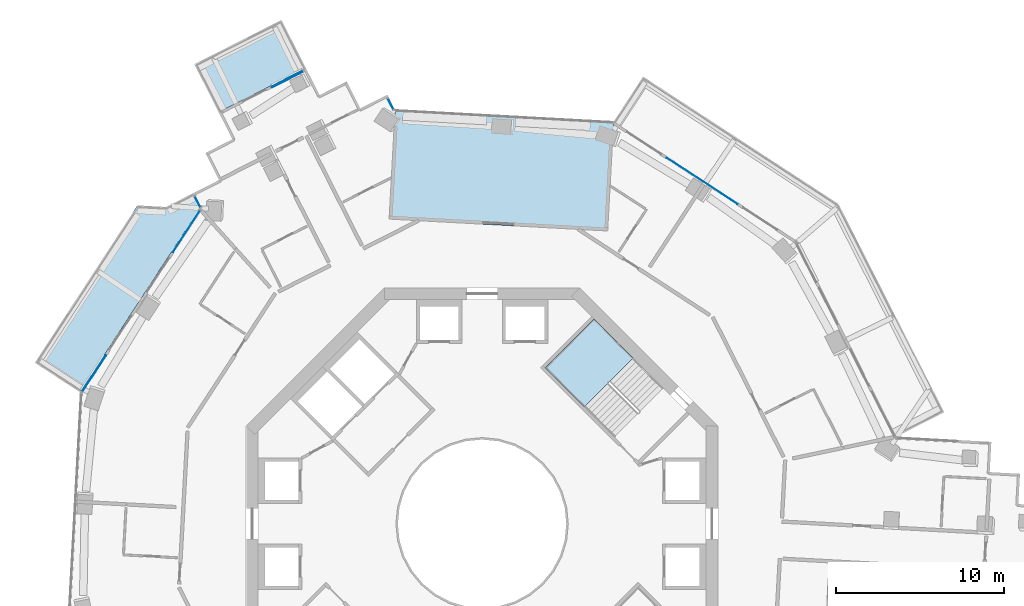
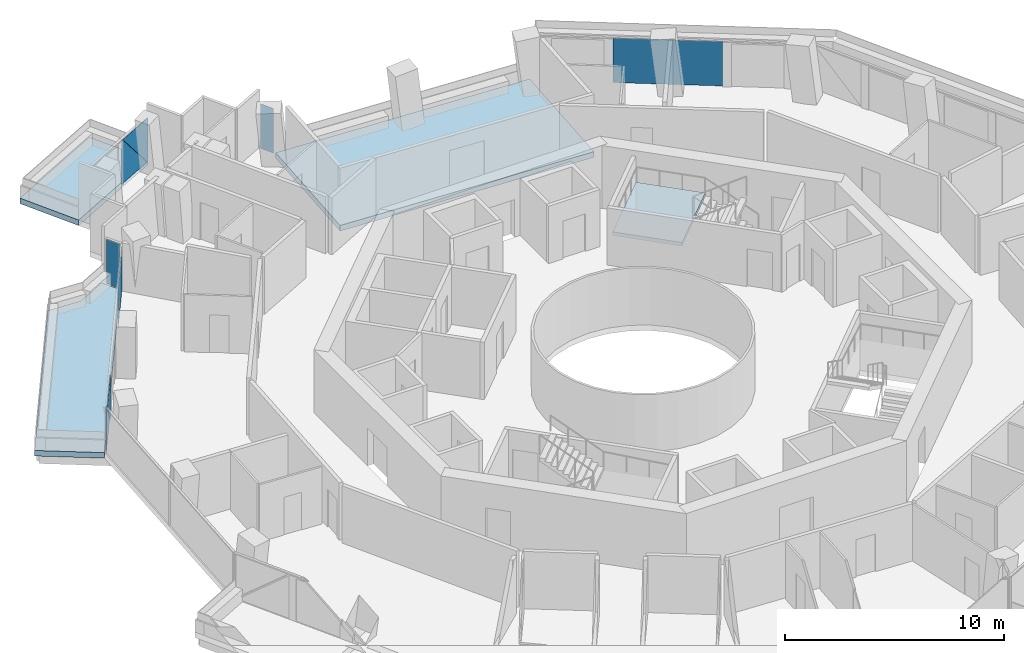
# One storey, part 14 of 23: 8 plates, 4 slabs, 6 elements without a shape of their own.
"""IFC4 building model written with IfcOpenShell, lengths in metres."""

from ifc_helpers import new_model, si_unit, direction, frame, origin, origin_2d, place, context, subcontext, project, spatial, polyline, rectangle, outline, extrude, material, layer, layer_set, type_object, element, aggregate, save


model = new_model("IFC4")

# Units and contexts
model_context = context("Model", 3, precision=1e-05, world=origin(), true_north=direction((0.0, 1.0)))
body_context = subcontext(model_context, "Body", "Model", "MODEL_VIEW")
ifc_project = project(units=[si_unit("LENGTHUNIT", "METRE"), si_unit("AREAUNIT", "SQUARE_METRE"), si_unit("VOLUMEUNIT", "CUBIC_METRE"), si_unit("PLANEANGLEUNIT", "RADIAN"), si_unit("MASSUNIT", "GRAM", prefix="KILO")], contexts=[model_context])

# Site, building, storey
site_placement = place(None, origin())
site = spatial("IfcSite", under=ifc_project, at=site_placement, CompositionType="ELEMENT")
building_placement = place(site_placement, origin())
building = spatial("IfcBuilding", under=site, at=building_placement, Name="Verdalira Terraces Hotel", CompositionType="ELEMENT")
storey_placement = place(building_placement, frame((0.0, 0.0, 143.5)))
storey = spatial("IfcBuildingStorey", under=building, at=storey_placement, Name="L34", CompositionType="ELEMENT", Elevation=143.5)

# Slabs
ifc_material_1 = material(Name="Precast concrete C40/50", Category="concrete")
ifc_layer_1 = layer(ifc_material_1, 0.31005859375)
ifc_layer_set_1 = layer_set([ifc_layer_1], Name="Balcony deck 310")
slab_type_1 = type_object("IfcSlabType", Name="Balcony deck 310", PredefinedType="FLOOR", material=ifc_layer_set_1)
slab_1_placement = place(storey_placement, frame((0.0, 0.0, -0.310059)))
element("IfcSlab", 1, at=slab_1_placement, inside=storey, type_object=slab_type_1, Name="Balcony deck", PredefinedType="FLOOR", context=body_context, shape_type="SweptSolid", body=[
    extrude(outline(polyline([(-17.081055, 27.283447), (-15.634277, 24.429199), (-10.460938, 27.051514), (-11.907715, 29.905762), (-17.081055, 27.283447)])), origin(), (0.0, 0.0, 1.0), 0.310059),
])
slab_2_placement = place(storey_placement, frame((0.0, 0.0, -0.310059)))
element("IfcSlab", 2, at=slab_2_placement, inside=storey, type_object=slab_type_1, Name="Balcony deck", PredefinedType="FLOOR", context=body_context, shape_type="SweptSolid", body=[
    extrude(outline(polyline([(-20.455078, 18.899658), (-26.548584, 9.559082), (-23.868652, 7.810791), (-16.765381, 18.698486), (-17.217529, 19.590576), (-18.762451, 18.807373), (-20.455078, 18.899658)])), origin(), (0.0, 0.0, 1.0), 0.310059),
])

# Curtain wall, plates
ifc_material_2 = material(Name="Clear glass", Category="glass")
ifc_layer_2 = layer(ifc_material_2, 0.14990234375)
ifc_layer_set_2 = layer_set([ifc_layer_2], Name="CW1 curtain wall")
curtain_wall_type_1 = type_object("IfcCurtainWallType", Name="CW1 curtain wall", PredefinedType="NOTDEFINED", material=ifc_layer_set_2)
curtain_wall_1_placement = place(storey_placement, origin())
curtain_wall_1 = element("IfcCurtainWall", 3, at=curtain_wall_1_placement, inside=storey, type_object=curtain_wall_type_1, Name="CW1 curtain wall L34 edge 11", PredefinedType="NOTDEFINED")
ifc_material_3 = material(Name="Clear glass", Category="glass")
ifc_layer_3 = layer(ifc_material_3, 0.028076171875)
ifc_layer_set_3 = layer_set([ifc_layer_3], Name="CW1 glass unit 28")
plate_type_1 = type_object("IfcPlateType", Name="CW1 glass unit 28", PredefinedType="CURTAIN_PANEL", material=ifc_layer_set_3)
plate_1_placement = place(storey_placement, frame((-17.54541, 17.365723, 0.0), z_axis=(0.0, 0.0, 1.0), x_axis=(-0.546394347, -0.83752804, 0.0)))
plate_1 = element("IfcPlate", 4, at=plate_1_placement, type_object=plate_type_1, Name="CW1 glass unit", PredefinedType="CURTAIN_PANEL", context=body_context, shape_type="SweptSolid", body=[
    extrude(rectangle(XDim=2.965088, YDim=0.028076, at=origin_2d()), origin(), (0.0, 0.0, 1.0), 2.475098),
])
plate_2_placement = place(storey_placement, frame((-23.038818, 8.919922, 1.237549), z_axis=(-0.83752804, 0.546394347, 0.0), x_axis=(-0.546394347, -0.83752804, 0.0)))
plate_2 = element("IfcPlate", 5, at=plate_2_placement, type_object=plate_type_1, Name="CW1 glass unit", PredefinedType="CURTAIN_PANEL", context=body_context, shape_type="SweptSolid", body=[
    extrude(outline(polyline([(-1.282227, -1.237549), (1.282227, -1.237549), (1.282227, 1.237549), (-1.282227, -1.237549)])), origin(), (0.0, 0.0, 1.0), 0.028076),
])
plate_3_placement = place(storey_placement, frame((-23.014404, 8.904053, 1.237549), z_axis=(-0.83752804, 0.546394347, 0.0), x_axis=(-0.546394347, -0.83752804, 0.0)))
plate_3 = element("IfcPlate", 6, at=plate_3_placement, type_object=plate_type_1, Name="CW1 glass unit", PredefinedType="CURTAIN_PANEL", context=body_context, shape_type="SweptSolid", body=[
    extrude(outline(polyline([(-1.282227, -1.237549), (1.282227, 1.237549), (-1.282227, 1.237549), (-1.282227, -1.237549)])), origin(), (0.0, 0.0, 1.0), 0.028076),
])
aggregate(curtain_wall_1, [plate_1, plate_2, plate_3])

# Curtain wall, plate
curtain_wall_2_placement = place(storey_placement, origin())
curtain_wall_2 = element("IfcCurtainWall", 7, at=curtain_wall_2_placement, inside=storey, type_object=curtain_wall_type_1, Name="CW1 curtain wall L34 edge 40", PredefinedType="NOTDEFINED")
plate_4_placement = place(storey_placement, frame((13.063965, 20.351807, 0.0), z_axis=(0.0, 0.0, 1.0), x_axis=(-0.83752804, 0.546394347, 0.0)))
plate_4 = element("IfcPlate", 8, at=plate_4_placement, type_object=plate_type_1, Name="CW1 glass unit", PredefinedType="CURTAIN_PANEL", context=body_context, shape_type="SweptSolid", body=[
    extrude(rectangle(XDim=5.021729, YDim=0.028076, at=origin_2d()), origin(), (0.0, 0.0, 1.0), 2.475098),
])
aggregate(curtain_wall_2, [plate_4])

ifc_material_4 = material(Name="Clear glass", Category="glass")
ifc_layer_4 = layer(ifc_material_4, 0.14990234375)
ifc_layer_set_4 = layer_set([ifc_layer_4], Name="CW2 curtain wall")
curtain_wall_type_2 = type_object("IfcCurtainWallType", Name="CW2 curtain wall", PredefinedType="NOTDEFINED", material=ifc_layer_set_4)
curtain_wall_3_placement = place(storey_placement, origin())
curtain_wall_3 = element("IfcCurtainWall", 9, at=curtain_wall_3_placement, inside=storey, type_object=curtain_wall_type_2, Name="CW2 curtain wall L34 edge 0", PredefinedType="NOTDEFINED")
ifc_material_5 = material(Name="Clear glass", Category="glass")
ifc_layer_5 = layer(ifc_material_5, 0.031982421875)
ifc_layer_set_5 = layer_set([ifc_layer_5], Name="CW2 glass unit 32")
plate_type_2 = type_object("IfcPlateType", Name="CW2 glass unit 32", PredefinedType="CURTAIN_PANEL", material=ifc_layer_set_5)
plate_5_placement = place(storey_placement, frame((-5.429199, 24.921387, 0.0), z_axis=(0.0, 0.0, 1.0), x_axis=(-0.452123386, 0.891955405, 0.0)))
plate_5 = element("IfcPlate", 10, at=plate_5_placement, type_object=plate_type_2, Name="CW2 glass unit", PredefinedType="CURTAIN_PANEL", context=body_context, shape_type="SweptSolid", body=[
    extrude(rectangle(XDim=0.709961, YDim=0.031982, at=origin_2d()), origin(), (0.0, 0.0, 1.0), 2.475098),
])
aggregate(curtain_wall_3, [plate_5])

curtain_wall_4_placement = place(storey_placement, origin())
curtain_wall_4 = element("IfcCurtainWall", 11, at=curtain_wall_4_placement, inside=storey, type_object=curtain_wall_type_2, Name="CW2 curtain wall L34 edge 10", PredefinedType="NOTDEFINED")
plate_6_placement = place(storey_placement, frame((-16.890625, 19.111572, 0.0), z_axis=(0.0, 0.0, 1.0), x_axis=(0.452123386, -0.891955405, 0.0)))
plate_6 = element("IfcPlate", 12, at=plate_6_placement, type_object=plate_type_2, Name="CW2 glass unit", PredefinedType="CURTAIN_PANEL", context=body_context, shape_type="SweptSolid", body=[
    extrude(rectangle(XDim=0.709961, YDim=0.031982, at=origin_2d()), origin(), (0.0, 0.0, 1.0), 2.475098),
])
aggregate(curtain_wall_4, [plate_6])

# Curtain wall, plates
ifc_material_6 = material(Name="Clear glass", Category="glass")
ifc_layer_6 = layer(ifc_material_6, 0.14990234375)
ifc_layer_set_6 = layer_set([ifc_layer_6], Name="CW3 curtain wall")
curtain_wall_type_3 = type_object("IfcCurtainWallType", Name="CW3 curtain wall", PredefinedType="NOTDEFINED", material=ifc_layer_set_6)
curtain_wall_5_placement = place(storey_placement, origin())
curtain_wall_5 = element("IfcCurtainWall", 13, at=curtain_wall_5_placement, inside=storey, type_object=curtain_wall_type_3, Name="CW3 curtain wall L34 edge 5", PredefinedType="NOTDEFINED")
ifc_material_7 = material(Name="Clear glass", Category="glass")
ifc_layer_7 = layer(ifc_material_7, 0.035888671875)
ifc_layer_set_7 = layer_set([ifc_layer_7], Name="CW3 glass unit 36")
plate_type_3 = type_object("IfcPlateType", Name="CW3 glass unit 36", PredefinedType="CURTAIN_PANEL", material=ifc_layer_set_7)
plate_7_placement = place(storey_placement, frame((-11.551758, 26.394287, 1.237549), z_axis=(-0.452123386, 0.891955405, 0.0), x_axis=(-0.891955405, -0.452123386, 0.0)))
plate_7 = element("IfcPlate", 14, at=plate_7_placement, type_object=plate_type_3, Name="CW3 glass unit", PredefinedType="CURTAIN_PANEL", context=body_context, shape_type="SweptSolid", body=[
    extrude(outline(polyline([(-1.040039, -1.237549), (1.040039, -1.237549), (1.040039, 1.237549), (-1.040039, -1.237549)])), origin(), (0.0, 0.0, 1.0), 0.035889),
])
plate_8_placement = place(storey_placement, frame((-11.534912, 26.361328, 1.237549), z_axis=(-0.452123386, 0.891955405, 0.0), x_axis=(-0.891955405, -0.452123386, 0.0)))
plate_8 = element("IfcPlate", 15, at=plate_8_placement, type_object=plate_type_3, Name="CW3 glass unit", PredefinedType="CURTAIN_PANEL", context=body_context, shape_type="SweptSolid", body=[
    extrude(outline(polyline([(-1.040039, -1.237549), (1.040039, 1.237549), (-1.040039, 1.237549), (-1.040039, -1.237549)])), origin(), (0.0, 0.0, 1.0), 0.035889),
])
aggregate(curtain_wall_5, [plate_7, plate_8])

# Stair, slab
ifc_material_8 = material(Name="Concrete C40", Category="concrete")
stair_type = type_object("IfcStairType", Name="Core stair 20 risers 2000 mm wide", PredefinedType="HALF_TURN_STAIR", material=ifc_material_8)
stair_placement = place(storey_placement, origin())
stair = element("IfcStair", 16, at=stair_placement, inside=storey, type_object=stair_type, Name="L34 Exit stair ST1", PredefinedType="HALF_TURN_STAIR")
ifc_material_9 = material(Name="Concrete C40", Category="concrete")
ifc_layer_8 = layer(ifc_material_9, 0.199951171875)
ifc_layer_set_8 = layer_set([ifc_layer_8], Name="Core stair landing 200 mm")
slab_type_2 = type_object("IfcSlabType", Name="Core stair landing 200 mm", PredefinedType="LANDING", material=ifc_layer_set_8)
slab_3_placement = place(storey_placement, frame((0.0, 0.0, 1.550049)))
slab_3 = element("IfcSlab", 17, at=slab_3_placement, type_object=slab_type_2, Name="ST1 landing 1", PredefinedType="LANDING", context=body_context, shape_type="SweptSolid", body=[
    extrude(outline(polyline([(8.966553, 9.842529), (6.646729, 12.162354), (3.747559, 9.263184), (6.067383, 6.943359), (8.966553, 9.842529)])), origin(), (0.0, 0.0, 1.0), 0.199951),
])
aggregate(stair, [slab_3])

# Slab
ifc_material_10 = material(Name="Concrete C40", Category="concrete")
ifc_layer_9 = layer(ifc_material_10, 0.31005859375)
ifc_layer_set_9 = layer_set([ifc_layer_9], Name="Loggia floor deck 310 C40")
slab_type_3 = type_object("IfcSlabType", Name="Loggia floor deck 310 C40", PredefinedType="FLOOR", material=ifc_layer_set_9)
slab_4_placement = place(storey_placement, frame((0.0, 0.0, -0.310059)))
element("IfcSlab", 18, at=slab_4_placement, inside=storey, type_object=slab_type_3, Name="Loggia deck L34", PredefinedType="FLOOR", context=body_context, shape_type="SweptSolid", body=[
    extrude(outline(polyline([(-5.523682, 18.085693), (7.456787, 17.378174), (7.810791, 23.868652), (-5.169922, 24.576172), (-5.523682, 18.085693)])), origin(), (0.0, 0.0, 1.0), 0.310059),
])

save(model, "model.ifc")
